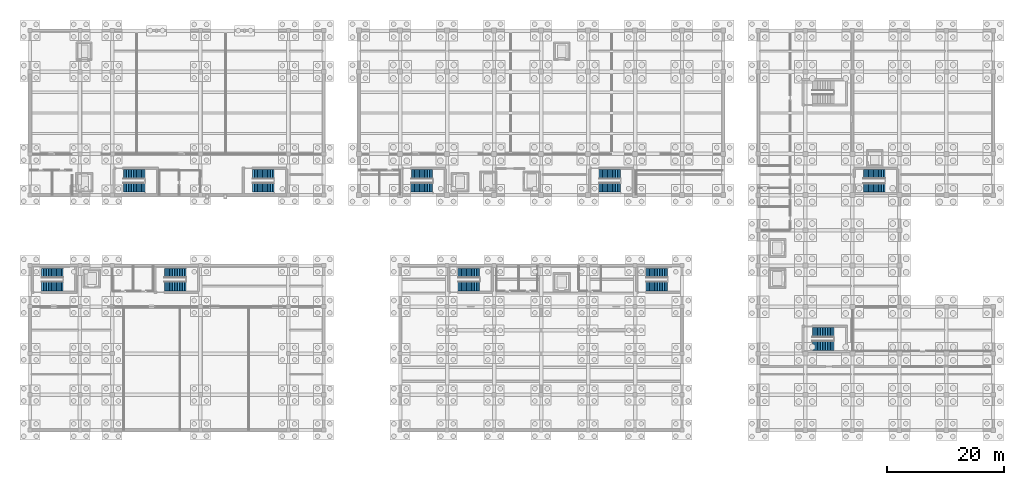
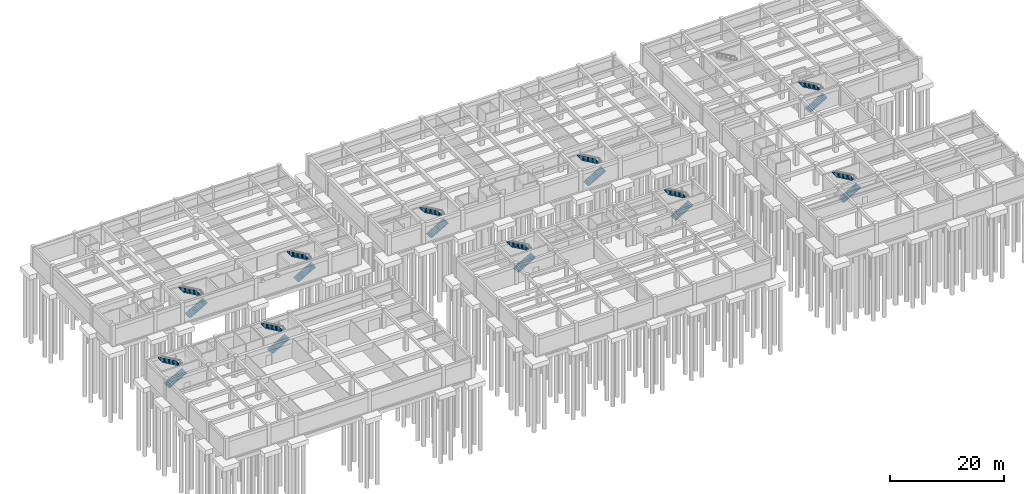
# One storey, part 22 of 28: 20 stair flights, 10 elements without a shape of their own.
"""IFC4 building model written with IfcOpenShell, lengths in metres."""

from ifc_helpers import new_model, si_unit, direction, frame, origin, place, context, subcontext, project, spatial, polyline, outline, extrude, material, type_object, element, aggregate, save


model = new_model("IFC4")

# Units and contexts
model_context = context("Model", 3, precision=1e-05, world=origin(), true_north=direction((0.0, 1.0)))
body_context = subcontext(model_context, "Body", "Model", "MODEL_VIEW")
ifc_project = project(units=[si_unit("LENGTHUNIT", "METRE"), si_unit("AREAUNIT", "SQUARE_METRE"), si_unit("VOLUMEUNIT", "CUBIC_METRE"), si_unit("PLANEANGLEUNIT", "RADIAN"), si_unit("MASSUNIT", "GRAM", prefix="KILO")], contexts=[model_context])

# Site, building, storey
site_placement = place(None, origin())
site = spatial("IfcSite", under=ifc_project, at=site_placement, CompositionType="ELEMENT")
building_placement = place(site_placement, origin())
building = spatial("IfcBuilding", under=site, at=building_placement, Name="Naurynzar Civic Courthouse", CompositionType="ELEMENT")
storey_placement = place(building_placement, frame((0.0, 0.0, -4.5)))
storey = spatial("IfcBuildingStorey", under=building, at=storey_placement, Name="B01", CompositionType="ELEMENT", Elevation=-4.5)

# Stair, stair flights
ifc_material_1 = material(Name="Concrete C35/45", Category="concrete")
stair_type_1 = type_object("IfcStairType", Name="STAIR-CUS-1550", PredefinedType="TWO_STRAIGHT_RUN_STAIR", material=ifc_material_1)
stair_1_placement = place(storey_placement, origin())
stair_1 = element("IfcStair", 1, at=stair_1_placement, inside=storey, type_object=stair_type_1, Name="Enclosed escape stair ST-CUS B01", PredefinedType="TWO_STRAIGHT_RUN_STAIR")
ifc_material_2 = material(Name="Concrete C35/45", Category="concrete")
stair_flight_type_1 = type_object("IfcStairFlightType", Name="FLIGHT-RC-1550", PredefinedType="STRAIGHT", material=ifc_material_2)
stair_flight_1_placement = place(storey_placement, frame((147.89990234375, 45.2548828125, 0.0), z_axis=(0.0, 0.0, 1.0), x_axis=(1.0, 0.0, 0.0)))
stair_flight_1 = element("IfcStairFlight", 2, at=stair_flight_1_placement, type_object=stair_flight_type_1, Name="ST-CUS-B01 flight 1", NumberOfRisers=14, NumberOfTreads=13, PredefinedType="STRAIGHT", RiserHeight=0.160714286, TreadLength=0.28, context=body_context, shape_type="SweptSolid", body=[
    extrude(outline(polyline([(0.0, 0.0), (0.0, 0.16064453125), (0.280029296875, 0.16064453125), (0.280029296875, 0.321533203125), (0.56005859375, 0.321533203125), (0.56005859375, 0.482177734375), (0.840087890625, 0.482177734375), (0.840087890625, 0.642822265625), (1.1201171875, 0.642822265625), (1.1201171875, 0.803466796875), (1.39990234375, 0.803466796875), (1.39990234375, 0.96435546875), (1.679931640625, 0.96435546875), (1.679931640625, 1.125), (1.9599609375, 1.125), (1.9599609375, 1.28564453125), (2.239990234375, 1.28564453125), (2.239990234375, 1.446533203125), (2.52001953125, 1.446533203125), (2.52001953125, 1.607177734375), (2.800048828125, 1.607177734375), (2.800048828125, 1.767822265625), (3.080078125, 1.767822265625), (3.080078125, 1.928466796875), (3.360107421875, 1.928466796875), (3.360107421875, 2.08935546875), (3.639892578125, 2.08935546875), (3.639892578125, 2.25), (3.639892578125, 1.8818359375), (0.361328125, 0.0), (0.0, 0.0)])), frame((0.0, 0.77490234375, 0.0), z_axis=(0.0, -1.0, 0.0), x_axis=(1.0, 0.0, 0.0)), (0.0, 0.0, 1.0), 1.550048828125),
])
stair_flight_2_placement = place(storey_placement, frame((151.5400390625, 47.544921875, 2.25), z_axis=(0.0, 0.0, 1.0), x_axis=(-1.0, 0.0, 0.0)))
stair_flight_2 = element("IfcStairFlight", 3, at=stair_flight_2_placement, type_object=stair_flight_type_1, Name="ST-CUS-B01 flight 2", NumberOfRisers=14, NumberOfTreads=13, PredefinedType="STRAIGHT", RiserHeight=0.160714286, TreadLength=0.28, context=body_context, shape_type="SweptSolid", body=[
    extrude(outline(polyline([(0.0, 0.0), (0.0, 0.16064453125), (0.280029296875, 0.16064453125), (0.280029296875, 0.321533203125), (0.56005859375, 0.321533203125), (0.56005859375, 0.482177734375), (0.840087890625, 0.482177734375), (0.840087890625, 0.642822265625), (1.1201171875, 0.642822265625), (1.1201171875, 0.803466796875), (1.39990234375, 0.803466796875), (1.39990234375, 0.96435546875), (1.679931640625, 0.96435546875), (1.679931640625, 1.125), (1.9599609375, 1.125), (1.9599609375, 1.28564453125), (2.239990234375, 1.28564453125), (2.239990234375, 1.446533203125), (2.52001953125, 1.446533203125), (2.52001953125, 1.607177734375), (2.800048828125, 1.607177734375), (2.800048828125, 1.767822265625), (3.080078125, 1.767822265625), (3.080078125, 1.928466796875), (3.360107421875, 1.928466796875), (3.360107421875, 2.08935546875), (3.639892578125, 2.08935546875), (3.639892578125, 2.25), (3.639892578125, 1.8818359375), (0.361328125, 0.0), (0.0, 0.0)])), frame((0.0, 0.77490234375, 0.0), z_axis=(0.0, -1.0, 0.0), x_axis=(1.0, 0.0, 0.0)), (0.0, 0.0, 1.0), 1.550048828125),
])
aggregate(stair_1, [stair_flight_1, stair_flight_2])

ifc_material_3 = material(Name="Concrete C35/45", Category="concrete")
stair_type_2 = type_object("IfcStairType", Name="STAIR-CORE-1600", PredefinedType="TWO_STRAIGHT_RUN_STAIR", material=ifc_material_3)
stair_2_placement = place(storey_placement, origin())
stair_2 = element("IfcStair", 4, at=stair_2_placement, inside=storey, type_object=stair_type_2, Name="Enclosed escape stair ST-V1A B01", PredefinedType="TWO_STRAIGHT_RUN_STAIR")
ifc_material_4 = material(Name="Concrete C35/45", Category="concrete")
stair_flight_type_2 = type_object("IfcStairFlightType", Name="FLIGHT-RC-1600", PredefinedType="STRAIGHT", material=ifc_material_4)
stair_flight_3_placement = place(storey_placement, frame((21.89990234375, 45.280029296875, 0.0), z_axis=(0.0, 0.0, 1.0), x_axis=(1.0, 0.0, 0.0)))
stair_flight_3 = element("IfcStairFlight", 5, at=stair_flight_3_placement, type_object=stair_flight_type_2, Name="ST-V1A-B01 flight 1", NumberOfRisers=14, NumberOfTreads=13, PredefinedType="STRAIGHT", RiserHeight=0.160714286, TreadLength=0.28, context=body_context, shape_type="SweptSolid", body=[
    extrude(outline(polyline([(0.0, 0.0), (0.0, 0.16064453125), (0.280029296875, 0.16064453125), (0.280029296875, 0.321533203125), (0.56005859375, 0.321533203125), (0.56005859375, 0.482177734375), (0.840087890625, 0.482177734375), (0.840087890625, 0.642822265625), (1.1201171875, 0.642822265625), (1.1201171875, 0.803466796875), (1.39990234375, 0.803466796875), (1.39990234375, 0.96435546875), (1.679931640625, 0.96435546875), (1.679931640625, 1.125), (1.9599609375, 1.125), (1.9599609375, 1.28564453125), (2.239990234375, 1.28564453125), (2.239990234375, 1.446533203125), (2.52001953125, 1.446533203125), (2.52001953125, 1.607177734375), (2.800048828125, 1.607177734375), (2.800048828125, 1.767822265625), (3.080078125, 1.767822265625), (3.080078125, 1.928466796875), (3.360107421875, 1.928466796875), (3.360107421875, 2.08935546875), (3.639892578125, 2.08935546875), (3.639892578125, 2.25), (3.639892578125, 1.8818359375), (0.361328125, 0.0), (0.0, 0.0)])), frame((0.0, 0.800048828125, 0.0), z_axis=(0.0, -1.0, 0.0), x_axis=(1.0, 0.0, 0.0)), (0.0, 0.0, 1.0), 1.60009765625),
])
stair_flight_4_placement = place(storey_placement, frame((25.5400390625, 47.52001953125, 2.25), z_axis=(0.0, 0.0, 1.0), x_axis=(-1.0, 0.0, 0.0)))
stair_flight_4 = element("IfcStairFlight", 6, at=stair_flight_4_placement, type_object=stair_flight_type_2, Name="ST-V1A-B01 flight 2", NumberOfRisers=14, NumberOfTreads=13, PredefinedType="STRAIGHT", RiserHeight=0.160714286, TreadLength=0.28, context=body_context, shape_type="SweptSolid", body=[
    extrude(outline(polyline([(0.0, 0.0), (0.0, 0.16064453125), (0.280029296875, 0.16064453125), (0.280029296875, 0.321533203125), (0.56005859375, 0.321533203125), (0.56005859375, 0.482177734375), (0.840087890625, 0.482177734375), (0.840087890625, 0.642822265625), (1.1201171875, 0.642822265625), (1.1201171875, 0.803466796875), (1.39990234375, 0.803466796875), (1.39990234375, 0.96435546875), (1.679931640625, 0.96435546875), (1.679931640625, 1.125), (1.9599609375, 1.125), (1.9599609375, 1.28564453125), (2.239990234375, 1.28564453125), (2.239990234375, 1.446533203125), (2.52001953125, 1.446533203125), (2.52001953125, 1.607177734375), (2.800048828125, 1.607177734375), (2.800048828125, 1.767822265625), (3.080078125, 1.767822265625), (3.080078125, 1.928466796875), (3.360107421875, 1.928466796875), (3.360107421875, 2.08935546875), (3.639892578125, 2.08935546875), (3.639892578125, 2.25), (3.639892578125, 1.8818359375), (0.361328125, 0.0), (0.0, 0.0)])), frame((0.0, 0.800048828125, 0.0), z_axis=(0.0, -1.0, 0.0), x_axis=(1.0, 0.0, 0.0)), (0.0, 0.0, 1.0), 1.60009765625),
])
aggregate(stair_2, [stair_flight_3, stair_flight_4])

stair_3_placement = place(storey_placement, origin())
stair_3 = element("IfcStair", 7, at=stair_3_placement, inside=storey, type_object=stair_type_2, Name="Enclosed escape stair ST-V1B B01", PredefinedType="TWO_STRAIGHT_RUN_STAIR")
stair_flight_5_placement = place(storey_placement, frame((43.89990234375, 45.280029296875, 0.0), z_axis=(0.0, 0.0, 1.0), x_axis=(1.0, 0.0, 0.0)))
stair_flight_5 = element("IfcStairFlight", 8, at=stair_flight_5_placement, type_object=stair_flight_type_2, Name="ST-V1B-B01 flight 1", NumberOfRisers=14, NumberOfTreads=13, PredefinedType="STRAIGHT", RiserHeight=0.160714286, TreadLength=0.28, context=body_context, shape_type="SweptSolid", body=[
    extrude(outline(polyline([(0.0, 0.0), (0.0, 0.16064453125), (0.280029296875, 0.16064453125), (0.280029296875, 0.321533203125), (0.56005859375, 0.321533203125), (0.56005859375, 0.482177734375), (0.840087890625, 0.482177734375), (0.840087890625, 0.642822265625), (1.1201171875, 0.642822265625), (1.1201171875, 0.803466796875), (1.39990234375, 0.803466796875), (1.39990234375, 0.96435546875), (1.679931640625, 0.96435546875), (1.679931640625, 1.125), (1.9599609375, 1.125), (1.9599609375, 1.28564453125), (2.239990234375, 1.28564453125), (2.239990234375, 1.446533203125), (2.52001953125, 1.446533203125), (2.52001953125, 1.607177734375), (2.800048828125, 1.607177734375), (2.800048828125, 1.767822265625), (3.080078125, 1.767822265625), (3.080078125, 1.928466796875), (3.360107421875, 1.928466796875), (3.360107421875, 2.08935546875), (3.639892578125, 2.08935546875), (3.639892578125, 2.25), (3.639892578125, 1.8818359375), (0.361328125, 0.0), (0.0, 0.0)])), frame((0.0, 0.800048828125, 0.0), z_axis=(0.0, -1.0, 0.0), x_axis=(1.0, 0.0, 0.0)), (0.0, 0.0, 1.0), 1.60009765625),
])
stair_flight_6_placement = place(storey_placement, frame((47.5400390625, 47.52001953125, 2.25), z_axis=(0.0, 0.0, 1.0), x_axis=(-1.0, 0.0, 0.0)))
stair_flight_6 = element("IfcStairFlight", 9, at=stair_flight_6_placement, type_object=stair_flight_type_2, Name="ST-V1B-B01 flight 2", NumberOfRisers=14, NumberOfTreads=13, PredefinedType="STRAIGHT", RiserHeight=0.160714286, TreadLength=0.28, context=body_context, shape_type="SweptSolid", body=[
    extrude(outline(polyline([(0.0, 0.0), (0.0, 0.16064453125), (0.280029296875, 0.16064453125), (0.280029296875, 0.321533203125), (0.56005859375, 0.321533203125), (0.56005859375, 0.482177734375), (0.840087890625, 0.482177734375), (0.840087890625, 0.642822265625), (1.1201171875, 0.642822265625), (1.1201171875, 0.803466796875), (1.39990234375, 0.803466796875), (1.39990234375, 0.96435546875), (1.679931640625, 0.96435546875), (1.679931640625, 1.125), (1.9599609375, 1.125), (1.9599609375, 1.28564453125), (2.239990234375, 1.28564453125), (2.239990234375, 1.446533203125), (2.52001953125, 1.446533203125), (2.52001953125, 1.607177734375), (2.800048828125, 1.607177734375), (2.800048828125, 1.767822265625), (3.080078125, 1.767822265625), (3.080078125, 1.928466796875), (3.360107421875, 1.928466796875), (3.360107421875, 2.08935546875), (3.639892578125, 2.08935546875), (3.639892578125, 2.25), (3.639892578125, 1.8818359375), (0.361328125, 0.0), (0.0, 0.0)])), frame((0.0, 0.800048828125, 0.0), z_axis=(0.0, -1.0, 0.0), x_axis=(1.0, 0.0, 0.0)), (0.0, 0.0, 1.0), 1.60009765625),
])
aggregate(stair_3, [stair_flight_5, stair_flight_6])

stair_4_placement = place(storey_placement, origin())
stair_4 = element("IfcStair", 10, at=stair_4_placement, inside=storey, type_object=stair_type_2, Name="Enclosed escape stair ST-V4A B01", PredefinedType="TWO_STRAIGHT_RUN_STAIR")
stair_flight_7_placement = place(storey_placement, frame((8.0, 28.47998046875, 0.0), z_axis=(0.0, 0.0, 1.0), x_axis=(1.0, 0.0, 0.0)))
stair_flight_7 = element("IfcStairFlight", 11, at=stair_flight_7_placement, type_object=stair_flight_type_2, Name="ST-V4A-B01 flight 1", NumberOfRisers=14, NumberOfTreads=13, PredefinedType="STRAIGHT", RiserHeight=0.160714286, TreadLength=0.28, context=body_context, shape_type="SweptSolid", body=[
    extrude(outline(polyline([(0.0, 0.0), (0.0, 0.16064453125), (0.280029296875, 0.16064453125), (0.280029296875, 0.321533203125), (0.56005859375, 0.321533203125), (0.56005859375, 0.482177734375), (0.840087890625, 0.482177734375), (0.840087890625, 0.642822265625), (1.1201171875, 0.642822265625), (1.1201171875, 0.803466796875), (1.39990234375, 0.803466796875), (1.39990234375, 0.96435546875), (1.679931640625, 0.96435546875), (1.679931640625, 1.125), (1.9599609375, 1.125), (1.9599609375, 1.28564453125), (2.239990234375, 1.28564453125), (2.239990234375, 1.446533203125), (2.52001953125, 1.446533203125), (2.52001953125, 1.607177734375), (2.800048828125, 1.607177734375), (2.800048828125, 1.767822265625), (3.080078125, 1.767822265625), (3.080078125, 1.928466796875), (3.360107421875, 1.928466796875), (3.360107421875, 2.08935546875), (3.639892578125, 2.08935546875), (3.639892578125, 2.25), (3.639892578125, 1.8818359375), (0.361328125, 0.0), (0.0, 0.0)])), frame((0.0, 0.800048828125, 0.0), z_axis=(0.0, -1.0, 0.0), x_axis=(1.0, 0.0, 0.0)), (0.0, 0.0, 1.0), 1.60009765625),
])
stair_flight_8_placement = place(storey_placement, frame((11.639892578125, 30.719970703125, 2.25), z_axis=(0.0, 0.0, 1.0), x_axis=(-1.0, 0.0, 0.0)))
stair_flight_8 = element("IfcStairFlight", 12, at=stair_flight_8_placement, type_object=stair_flight_type_2, Name="ST-V4A-B01 flight 2", NumberOfRisers=14, NumberOfTreads=13, PredefinedType="STRAIGHT", RiserHeight=0.160714286, TreadLength=0.28, context=body_context, shape_type="SweptSolid", body=[
    extrude(outline(polyline([(0.0, 0.0), (0.0, 0.16064453125), (0.280029296875, 0.16064453125), (0.280029296875, 0.321533203125), (0.56005859375, 0.321533203125), (0.56005859375, 0.482177734375), (0.840087890625, 0.482177734375), (0.840087890625, 0.642822265625), (1.1201171875, 0.642822265625), (1.1201171875, 0.803466796875), (1.39990234375, 0.803466796875), (1.39990234375, 0.96435546875), (1.679931640625, 0.96435546875), (1.679931640625, 1.125), (1.9599609375, 1.125), (1.9599609375, 1.28564453125), (2.239990234375, 1.28564453125), (2.239990234375, 1.446533203125), (2.52001953125, 1.446533203125), (2.52001953125, 1.607177734375), (2.800048828125, 1.607177734375), (2.800048828125, 1.767822265625), (3.080078125, 1.767822265625), (3.080078125, 1.928466796875), (3.360107421875, 1.928466796875), (3.360107421875, 2.08935546875), (3.639892578125, 2.08935546875), (3.639892578125, 2.25), (3.639892578125, 1.8818359375), (0.361328125, 0.0), (0.0, 0.0)])), frame((0.0, 0.800048828125, 0.0), z_axis=(0.0, -1.0, 0.0), x_axis=(1.0, 0.0, 0.0)), (0.0, 0.0, 1.0), 1.60009765625),
])
aggregate(stair_4, [stair_flight_7, stair_flight_8])

stair_5_placement = place(storey_placement, origin())
stair_5 = element("IfcStair", 13, at=stair_5_placement, inside=storey, type_object=stair_type_2, Name="Enclosed escape stair ST-V4B B01", PredefinedType="TWO_STRAIGHT_RUN_STAIR")
stair_flight_9_placement = place(storey_placement, frame((28.89990234375, 28.47998046875, 0.0), z_axis=(0.0, 0.0, 1.0), x_axis=(1.0, 0.0, 0.0)))
stair_flight_9 = element("IfcStairFlight", 14, at=stair_flight_9_placement, type_object=stair_flight_type_2, Name="ST-V4B-B01 flight 1", NumberOfRisers=14, NumberOfTreads=13, PredefinedType="STRAIGHT", RiserHeight=0.160714286, TreadLength=0.28, context=body_context, shape_type="SweptSolid", body=[
    extrude(outline(polyline([(0.0, 0.0), (0.0, 0.16064453125), (0.280029296875, 0.16064453125), (0.280029296875, 0.321533203125), (0.56005859375, 0.321533203125), (0.56005859375, 0.482177734375), (0.840087890625, 0.482177734375), (0.840087890625, 0.642822265625), (1.1201171875, 0.642822265625), (1.1201171875, 0.803466796875), (1.39990234375, 0.803466796875), (1.39990234375, 0.96435546875), (1.679931640625, 0.96435546875), (1.679931640625, 1.125), (1.9599609375, 1.125), (1.9599609375, 1.28564453125), (2.239990234375, 1.28564453125), (2.239990234375, 1.446533203125), (2.52001953125, 1.446533203125), (2.52001953125, 1.607177734375), (2.800048828125, 1.607177734375), (2.800048828125, 1.767822265625), (3.080078125, 1.767822265625), (3.080078125, 1.928466796875), (3.360107421875, 1.928466796875), (3.360107421875, 2.08935546875), (3.639892578125, 2.08935546875), (3.639892578125, 2.25), (3.639892578125, 1.8818359375), (0.361328125, 0.0), (0.0, 0.0)])), frame((0.0, 0.800048828125, 0.0), z_axis=(0.0, -1.0, 0.0), x_axis=(1.0, 0.0, 0.0)), (0.0, 0.0, 1.0), 1.60009765625),
])
stair_flight_10_placement = place(storey_placement, frame((32.5400390625, 30.719970703125, 2.25), z_axis=(0.0, 0.0, 1.0), x_axis=(-1.0, 0.0, 0.0)))
stair_flight_10 = element("IfcStairFlight", 15, at=stair_flight_10_placement, type_object=stair_flight_type_2, Name="ST-V4B-B01 flight 2", NumberOfRisers=14, NumberOfTreads=13, PredefinedType="STRAIGHT", RiserHeight=0.160714286, TreadLength=0.28, context=body_context, shape_type="SweptSolid", body=[
    extrude(outline(polyline([(0.0, 0.0), (0.0, 0.16064453125), (0.280029296875, 0.16064453125), (0.280029296875, 0.321533203125), (0.56005859375, 0.321533203125), (0.56005859375, 0.482177734375), (0.840087890625, 0.482177734375), (0.840087890625, 0.642822265625), (1.1201171875, 0.642822265625), (1.1201171875, 0.803466796875), (1.39990234375, 0.803466796875), (1.39990234375, 0.96435546875), (1.679931640625, 0.96435546875), (1.679931640625, 1.125), (1.9599609375, 1.125), (1.9599609375, 1.28564453125), (2.239990234375, 1.28564453125), (2.239990234375, 1.446533203125), (2.52001953125, 1.446533203125), (2.52001953125, 1.607177734375), (2.800048828125, 1.607177734375), (2.800048828125, 1.767822265625), (3.080078125, 1.767822265625), (3.080078125, 1.928466796875), (3.360107421875, 1.928466796875), (3.360107421875, 2.08935546875), (3.639892578125, 2.08935546875), (3.639892578125, 2.25), (3.639892578125, 1.8818359375), (0.361328125, 0.0), (0.0, 0.0)])), frame((0.0, 0.800048828125, 0.0), z_axis=(0.0, -1.0, 0.0), x_axis=(1.0, 0.0, 0.0)), (0.0, 0.0, 1.0), 1.60009765625),
])
aggregate(stair_5, [stair_flight_9, stair_flight_10])

stair_6_placement = place(storey_placement, origin())
stair_6 = element("IfcStair", 16, at=stair_6_placement, inside=storey, type_object=stair_type_2, Name="Enclosed escape stair ST-V2A B01", PredefinedType="TWO_STRAIGHT_RUN_STAIR")
stair_flight_11_placement = place(storey_placement, frame((70.89990234375, 45.280029296875, 0.0), z_axis=(0.0, 0.0, 1.0), x_axis=(1.0, 0.0, 0.0)))
stair_flight_11 = element("IfcStairFlight", 17, at=stair_flight_11_placement, type_object=stair_flight_type_2, Name="ST-V2A-B01 flight 1", NumberOfRisers=14, NumberOfTreads=13, PredefinedType="STRAIGHT", RiserHeight=0.160714286, TreadLength=0.28, context=body_context, shape_type="SweptSolid", body=[
    extrude(outline(polyline([(0.0, 0.0), (0.0, 0.16064453125), (0.280029296875, 0.16064453125), (0.280029296875, 0.321533203125), (0.56005859375, 0.321533203125), (0.56005859375, 0.482177734375), (0.840087890625, 0.482177734375), (0.840087890625, 0.642822265625), (1.1201171875, 0.642822265625), (1.1201171875, 0.803466796875), (1.39990234375, 0.803466796875), (1.39990234375, 0.96435546875), (1.679931640625, 0.96435546875), (1.679931640625, 1.125), (1.9599609375, 1.125), (1.9599609375, 1.28564453125), (2.239990234375, 1.28564453125), (2.239990234375, 1.446533203125), (2.52001953125, 1.446533203125), (2.52001953125, 1.607177734375), (2.800048828125, 1.607177734375), (2.800048828125, 1.767822265625), (3.080078125, 1.767822265625), (3.080078125, 1.928466796875), (3.360107421875, 1.928466796875), (3.360107421875, 2.08935546875), (3.639892578125, 2.08935546875), (3.639892578125, 2.25), (3.639892578125, 1.8818359375), (0.361328125, 0.0), (0.0, 0.0)])), frame((0.0, 0.800048828125, 0.0), z_axis=(0.0, -1.0, 0.0), x_axis=(1.0, 0.0, 0.0)), (0.0, 0.0, 1.0), 1.60009765625),
])
stair_flight_12_placement = place(storey_placement, frame((74.5400390625, 47.52001953125, 2.25), z_axis=(0.0, 0.0, 1.0), x_axis=(-1.0, 0.0, 0.0)))
stair_flight_12 = element("IfcStairFlight", 18, at=stair_flight_12_placement, type_object=stair_flight_type_2, Name="ST-V2A-B01 flight 2", NumberOfRisers=14, NumberOfTreads=13, PredefinedType="STRAIGHT", RiserHeight=0.160714286, TreadLength=0.28, context=body_context, shape_type="SweptSolid", body=[
    extrude(outline(polyline([(0.0, 0.0), (0.0, 0.16064453125), (0.280029296875, 0.16064453125), (0.280029296875, 0.321533203125), (0.56005859375, 0.321533203125), (0.56005859375, 0.482177734375), (0.840087890625, 0.482177734375), (0.840087890625, 0.642822265625), (1.1201171875, 0.642822265625), (1.1201171875, 0.803466796875), (1.39990234375, 0.803466796875), (1.39990234375, 0.96435546875), (1.679931640625, 0.96435546875), (1.679931640625, 1.125), (1.9599609375, 1.125), (1.9599609375, 1.28564453125), (2.239990234375, 1.28564453125), (2.239990234375, 1.446533203125), (2.52001953125, 1.446533203125), (2.52001953125, 1.607177734375), (2.800048828125, 1.607177734375), (2.800048828125, 1.767822265625), (3.080078125, 1.767822265625), (3.080078125, 1.928466796875), (3.360107421875, 1.928466796875), (3.360107421875, 2.08935546875), (3.639892578125, 2.08935546875), (3.639892578125, 2.25), (3.639892578125, 1.8818359375), (0.361328125, 0.0), (0.0, 0.0)])), frame((0.0, 0.800048828125, 0.0), z_axis=(0.0, -1.0, 0.0), x_axis=(1.0, 0.0, 0.0)), (0.0, 0.0, 1.0), 1.60009765625),
])
aggregate(stair_6, [stair_flight_11, stair_flight_12])

stair_7_placement = place(storey_placement, origin())
stair_7 = element("IfcStair", 19, at=stair_7_placement, inside=storey, type_object=stair_type_2, Name="Enclosed escape stair ST-V2B B01", PredefinedType="TWO_STRAIGHT_RUN_STAIR")
stair_flight_13_placement = place(storey_placement, frame((102.89990234375, 45.280029296875, 0.0), z_axis=(0.0, 0.0, 1.0), x_axis=(1.0, 0.0, 0.0)))
stair_flight_13 = element("IfcStairFlight", 20, at=stair_flight_13_placement, type_object=stair_flight_type_2, Name="ST-V2B-B01 flight 1", NumberOfRisers=14, NumberOfTreads=13, PredefinedType="STRAIGHT", RiserHeight=0.160714286, TreadLength=0.28, context=body_context, shape_type="SweptSolid", body=[
    extrude(outline(polyline([(0.0, 0.0), (0.0, 0.16064453125), (0.280029296875, 0.16064453125), (0.280029296875, 0.321533203125), (0.56005859375, 0.321533203125), (0.56005859375, 0.482177734375), (0.840087890625, 0.482177734375), (0.840087890625, 0.642822265625), (1.1201171875, 0.642822265625), (1.1201171875, 0.803466796875), (1.39990234375, 0.803466796875), (1.39990234375, 0.96435546875), (1.679931640625, 0.96435546875), (1.679931640625, 1.125), (1.9599609375, 1.125), (1.9599609375, 1.28564453125), (2.239990234375, 1.28564453125), (2.239990234375, 1.446533203125), (2.52001953125, 1.446533203125), (2.52001953125, 1.607177734375), (2.800048828125, 1.607177734375), (2.800048828125, 1.767822265625), (3.080078125, 1.767822265625), (3.080078125, 1.928466796875), (3.360107421875, 1.928466796875), (3.360107421875, 2.08935546875), (3.639892578125, 2.08935546875), (3.639892578125, 2.25), (3.639892578125, 1.8818359375), (0.361328125, 0.0), (0.0, 0.0)])), frame((0.0, 0.800048828125, 0.0), z_axis=(0.0, -1.0, 0.0), x_axis=(1.0, 0.0, 0.0)), (0.0, 0.0, 1.0), 1.60009765625),
])
stair_flight_14_placement = place(storey_placement, frame((106.5400390625, 47.52001953125, 2.25), z_axis=(0.0, 0.0, 1.0), x_axis=(-1.0, 0.0, 0.0)))
stair_flight_14 = element("IfcStairFlight", 21, at=stair_flight_14_placement, type_object=stair_flight_type_2, Name="ST-V2B-B01 flight 2", NumberOfRisers=14, NumberOfTreads=13, PredefinedType="STRAIGHT", RiserHeight=0.160714286, TreadLength=0.28, context=body_context, shape_type="SweptSolid", body=[
    extrude(outline(polyline([(0.0, 0.0), (0.0, 0.16064453125), (0.280029296875, 0.16064453125), (0.280029296875, 0.321533203125), (0.56005859375, 0.321533203125), (0.56005859375, 0.482177734375), (0.840087890625, 0.482177734375), (0.840087890625, 0.642822265625), (1.1201171875, 0.642822265625), (1.1201171875, 0.803466796875), (1.39990234375, 0.803466796875), (1.39990234375, 0.96435546875), (1.679931640625, 0.96435546875), (1.679931640625, 1.125), (1.9599609375, 1.125), (1.9599609375, 1.28564453125), (2.239990234375, 1.28564453125), (2.239990234375, 1.446533203125), (2.52001953125, 1.446533203125), (2.52001953125, 1.607177734375), (2.800048828125, 1.607177734375), (2.800048828125, 1.767822265625), (3.080078125, 1.767822265625), (3.080078125, 1.928466796875), (3.360107421875, 1.928466796875), (3.360107421875, 2.08935546875), (3.639892578125, 2.08935546875), (3.639892578125, 2.25), (3.639892578125, 1.8818359375), (0.361328125, 0.0), (0.0, 0.0)])), frame((0.0, 0.800048828125, 0.0), z_axis=(0.0, -1.0, 0.0), x_axis=(1.0, 0.0, 0.0)), (0.0, 0.0, 1.0), 1.60009765625),
])
aggregate(stair_7, [stair_flight_13, stair_flight_14])

stair_8_placement = place(storey_placement, origin())
stair_8 = element("IfcStair", 22, at=stair_8_placement, inside=storey, type_object=stair_type_2, Name="Enclosed escape stair ST-V3A B01", PredefinedType="TWO_STRAIGHT_RUN_STAIR")
stair_flight_15_placement = place(storey_placement, frame((78.89990234375, 28.47998046875, 0.0), z_axis=(0.0, 0.0, 1.0), x_axis=(1.0, 0.0, 0.0)))
stair_flight_15 = element("IfcStairFlight", 23, at=stair_flight_15_placement, type_object=stair_flight_type_2, Name="ST-V3A-B01 flight 1", NumberOfRisers=14, NumberOfTreads=13, PredefinedType="STRAIGHT", RiserHeight=0.160714286, TreadLength=0.28, context=body_context, shape_type="SweptSolid", body=[
    extrude(outline(polyline([(0.0, 0.0), (0.0, 0.16064453125), (0.280029296875, 0.16064453125), (0.280029296875, 0.321533203125), (0.56005859375, 0.321533203125), (0.56005859375, 0.482177734375), (0.840087890625, 0.482177734375), (0.840087890625, 0.642822265625), (1.1201171875, 0.642822265625), (1.1201171875, 0.803466796875), (1.39990234375, 0.803466796875), (1.39990234375, 0.96435546875), (1.679931640625, 0.96435546875), (1.679931640625, 1.125), (1.9599609375, 1.125), (1.9599609375, 1.28564453125), (2.239990234375, 1.28564453125), (2.239990234375, 1.446533203125), (2.52001953125, 1.446533203125), (2.52001953125, 1.607177734375), (2.800048828125, 1.607177734375), (2.800048828125, 1.767822265625), (3.080078125, 1.767822265625), (3.080078125, 1.928466796875), (3.360107421875, 1.928466796875), (3.360107421875, 2.08935546875), (3.639892578125, 2.08935546875), (3.639892578125, 2.25), (3.639892578125, 1.8818359375), (0.361328125, 0.0), (0.0, 0.0)])), frame((0.0, 0.800048828125, 0.0), z_axis=(0.0, -1.0, 0.0), x_axis=(1.0, 0.0, 0.0)), (0.0, 0.0, 1.0), 1.60009765625),
])
stair_flight_16_placement = place(storey_placement, frame((82.5400390625, 30.719970703125, 2.25), z_axis=(0.0, 0.0, 1.0), x_axis=(-1.0, 0.0, 0.0)))
stair_flight_16 = element("IfcStairFlight", 24, at=stair_flight_16_placement, type_object=stair_flight_type_2, Name="ST-V3A-B01 flight 2", NumberOfRisers=14, NumberOfTreads=13, PredefinedType="STRAIGHT", RiserHeight=0.160714286, TreadLength=0.28, context=body_context, shape_type="SweptSolid", body=[
    extrude(outline(polyline([(0.0, 0.0), (0.0, 0.16064453125), (0.280029296875, 0.16064453125), (0.280029296875, 0.321533203125), (0.56005859375, 0.321533203125), (0.56005859375, 0.482177734375), (0.840087890625, 0.482177734375), (0.840087890625, 0.642822265625), (1.1201171875, 0.642822265625), (1.1201171875, 0.803466796875), (1.39990234375, 0.803466796875), (1.39990234375, 0.96435546875), (1.679931640625, 0.96435546875), (1.679931640625, 1.125), (1.9599609375, 1.125), (1.9599609375, 1.28564453125), (2.239990234375, 1.28564453125), (2.239990234375, 1.446533203125), (2.52001953125, 1.446533203125), (2.52001953125, 1.607177734375), (2.800048828125, 1.607177734375), (2.800048828125, 1.767822265625), (3.080078125, 1.767822265625), (3.080078125, 1.928466796875), (3.360107421875, 1.928466796875), (3.360107421875, 2.08935546875), (3.639892578125, 2.08935546875), (3.639892578125, 2.25), (3.639892578125, 1.8818359375), (0.361328125, 0.0), (0.0, 0.0)])), frame((0.0, 0.800048828125, 0.0), z_axis=(0.0, -1.0, 0.0), x_axis=(1.0, 0.0, 0.0)), (0.0, 0.0, 1.0), 1.60009765625),
])
aggregate(stair_8, [stair_flight_15, stair_flight_16])

stair_9_placement = place(storey_placement, origin())
stair_9 = element("IfcStair", 25, at=stair_9_placement, inside=storey, type_object=stair_type_2, Name="Enclosed escape stair ST-V3B B01", PredefinedType="TWO_STRAIGHT_RUN_STAIR")
stair_flight_17_placement = place(storey_placement, frame((110.89990234375, 28.47998046875, 0.0), z_axis=(0.0, 0.0, 1.0), x_axis=(1.0, 0.0, 0.0)))
stair_flight_17 = element("IfcStairFlight", 26, at=stair_flight_17_placement, type_object=stair_flight_type_2, Name="ST-V3B-B01 flight 1", NumberOfRisers=14, NumberOfTreads=13, PredefinedType="STRAIGHT", RiserHeight=0.160714286, TreadLength=0.28, context=body_context, shape_type="SweptSolid", body=[
    extrude(outline(polyline([(0.0, 0.0), (0.0, 0.16064453125), (0.280029296875, 0.16064453125), (0.280029296875, 0.321533203125), (0.56005859375, 0.321533203125), (0.56005859375, 0.482177734375), (0.840087890625, 0.482177734375), (0.840087890625, 0.642822265625), (1.1201171875, 0.642822265625), (1.1201171875, 0.803466796875), (1.39990234375, 0.803466796875), (1.39990234375, 0.96435546875), (1.679931640625, 0.96435546875), (1.679931640625, 1.125), (1.9599609375, 1.125), (1.9599609375, 1.28564453125), (2.239990234375, 1.28564453125), (2.239990234375, 1.446533203125), (2.52001953125, 1.446533203125), (2.52001953125, 1.607177734375), (2.800048828125, 1.607177734375), (2.800048828125, 1.767822265625), (3.080078125, 1.767822265625), (3.080078125, 1.928466796875), (3.360107421875, 1.928466796875), (3.360107421875, 2.08935546875), (3.639892578125, 2.08935546875), (3.639892578125, 2.25), (3.639892578125, 1.8818359375), (0.361328125, 0.0), (0.0, 0.0)])), frame((0.0, 0.800048828125, 0.0), z_axis=(0.0, -1.0, 0.0), x_axis=(1.0, 0.0, 0.0)), (0.0, 0.0, 1.0), 1.60009765625),
])
stair_flight_18_placement = place(storey_placement, frame((114.5400390625, 30.719970703125, 2.25), z_axis=(0.0, 0.0, 1.0), x_axis=(-1.0, 0.0, 0.0)))
stair_flight_18 = element("IfcStairFlight", 27, at=stair_flight_18_placement, type_object=stair_flight_type_2, Name="ST-V3B-B01 flight 2", NumberOfRisers=14, NumberOfTreads=13, PredefinedType="STRAIGHT", RiserHeight=0.160714286, TreadLength=0.28, context=body_context, shape_type="SweptSolid", body=[
    extrude(outline(polyline([(0.0, 0.0), (0.0, 0.16064453125), (0.280029296875, 0.16064453125), (0.280029296875, 0.321533203125), (0.56005859375, 0.321533203125), (0.56005859375, 0.482177734375), (0.840087890625, 0.482177734375), (0.840087890625, 0.642822265625), (1.1201171875, 0.642822265625), (1.1201171875, 0.803466796875), (1.39990234375, 0.803466796875), (1.39990234375, 0.96435546875), (1.679931640625, 0.96435546875), (1.679931640625, 1.125), (1.9599609375, 1.125), (1.9599609375, 1.28564453125), (2.239990234375, 1.28564453125), (2.239990234375, 1.446533203125), (2.52001953125, 1.446533203125), (2.52001953125, 1.607177734375), (2.800048828125, 1.607177734375), (2.800048828125, 1.767822265625), (3.080078125, 1.767822265625), (3.080078125, 1.928466796875), (3.360107421875, 1.928466796875), (3.360107421875, 2.08935546875), (3.639892578125, 2.08935546875), (3.639892578125, 2.25), (3.639892578125, 1.8818359375), (0.361328125, 0.0), (0.0, 0.0)])), frame((0.0, 0.800048828125, 0.0), z_axis=(0.0, -1.0, 0.0), x_axis=(1.0, 0.0, 0.0)), (0.0, 0.0, 1.0), 1.60009765625),
])
aggregate(stair_9, [stair_flight_17, stair_flight_18])

stair_10_placement = place(storey_placement, origin())
stair_10 = element("IfcStair", 28, at=stair_10_placement, inside=storey, type_object=stair_type_2, Name="Enclosed escape stair ST-V5A B01", PredefinedType="TWO_STRAIGHT_RUN_STAIR")
stair_flight_19_placement = place(storey_placement, frame((139.199951171875, 18.3798828125, 0.0), z_axis=(0.0, 0.0, 1.0), x_axis=(1.0, 0.0, 0.0)))
stair_flight_19 = element("IfcStairFlight", 29, at=stair_flight_19_placement, type_object=stair_flight_type_2, Name="ST-V5A-B01 flight 1", NumberOfRisers=14, NumberOfTreads=13, PredefinedType="STRAIGHT", RiserHeight=0.160714286, TreadLength=0.28, context=body_context, shape_type="SweptSolid", body=[
    extrude(outline(polyline([(0.0, 0.0), (0.0, 0.16064453125), (0.280029296875, 0.16064453125), (0.280029296875, 0.321533203125), (0.56005859375, 0.321533203125), (0.56005859375, 0.482177734375), (0.840087890625, 0.482177734375), (0.840087890625, 0.642822265625), (1.1201171875, 0.642822265625), (1.1201171875, 0.803466796875), (1.39990234375, 0.803466796875), (1.39990234375, 0.96435546875), (1.679931640625, 0.96435546875), (1.679931640625, 1.125), (1.9599609375, 1.125), (1.9599609375, 1.28564453125), (2.239990234375, 1.28564453125), (2.239990234375, 1.446533203125), (2.52001953125, 1.446533203125), (2.52001953125, 1.607177734375), (2.800048828125, 1.607177734375), (2.800048828125, 1.767822265625), (3.080078125, 1.767822265625), (3.080078125, 1.928466796875), (3.360107421875, 1.928466796875), (3.360107421875, 2.08935546875), (3.639892578125, 2.08935546875), (3.639892578125, 2.25), (3.639892578125, 1.8818359375), (0.361328125, 0.0), (0.0, 0.0)])), frame((0.0, 0.800048828125, 0.0), z_axis=(0.0, -1.0, 0.0), x_axis=(1.0, 0.0, 0.0)), (0.0, 0.0, 1.0), 1.60009765625),
])
stair_flight_20_placement = place(storey_placement, frame((142.840087890625, 20.6201171875, 2.25), z_axis=(0.0, 0.0, 1.0), x_axis=(-1.0, 0.0, 0.0)))
stair_flight_20 = element("IfcStairFlight", 30, at=stair_flight_20_placement, type_object=stair_flight_type_2, Name="ST-V5A-B01 flight 2", NumberOfRisers=14, NumberOfTreads=13, PredefinedType="STRAIGHT", RiserHeight=0.160714286, TreadLength=0.28, context=body_context, shape_type="SweptSolid", body=[
    extrude(outline(polyline([(0.0, 0.0), (0.0, 0.16064453125), (0.280029296875, 0.16064453125), (0.280029296875, 0.321533203125), (0.56005859375, 0.321533203125), (0.56005859375, 0.482177734375), (0.840087890625, 0.482177734375), (0.840087890625, 0.642822265625), (1.1201171875, 0.642822265625), (1.1201171875, 0.803466796875), (1.39990234375, 0.803466796875), (1.39990234375, 0.96435546875), (1.679931640625, 0.96435546875), (1.679931640625, 1.125), (1.9599609375, 1.125), (1.9599609375, 1.28564453125), (2.239990234375, 1.28564453125), (2.239990234375, 1.446533203125), (2.52001953125, 1.446533203125), (2.52001953125, 1.607177734375), (2.800048828125, 1.607177734375), (2.800048828125, 1.767822265625), (3.080078125, 1.767822265625), (3.080078125, 1.928466796875), (3.360107421875, 1.928466796875), (3.360107421875, 2.08935546875), (3.639892578125, 2.08935546875), (3.639892578125, 2.25), (3.639892578125, 1.8818359375), (0.361328125, 0.0), (0.0, 0.0)])), frame((0.0, 0.800048828125, 0.0), z_axis=(0.0, -1.0, 0.0), x_axis=(1.0, 0.0, 0.0)), (0.0, 0.0, 1.0), 1.60009765625),
])
aggregate(stair_10, [stair_flight_19, stair_flight_20])

save(model, "model.ifc")
